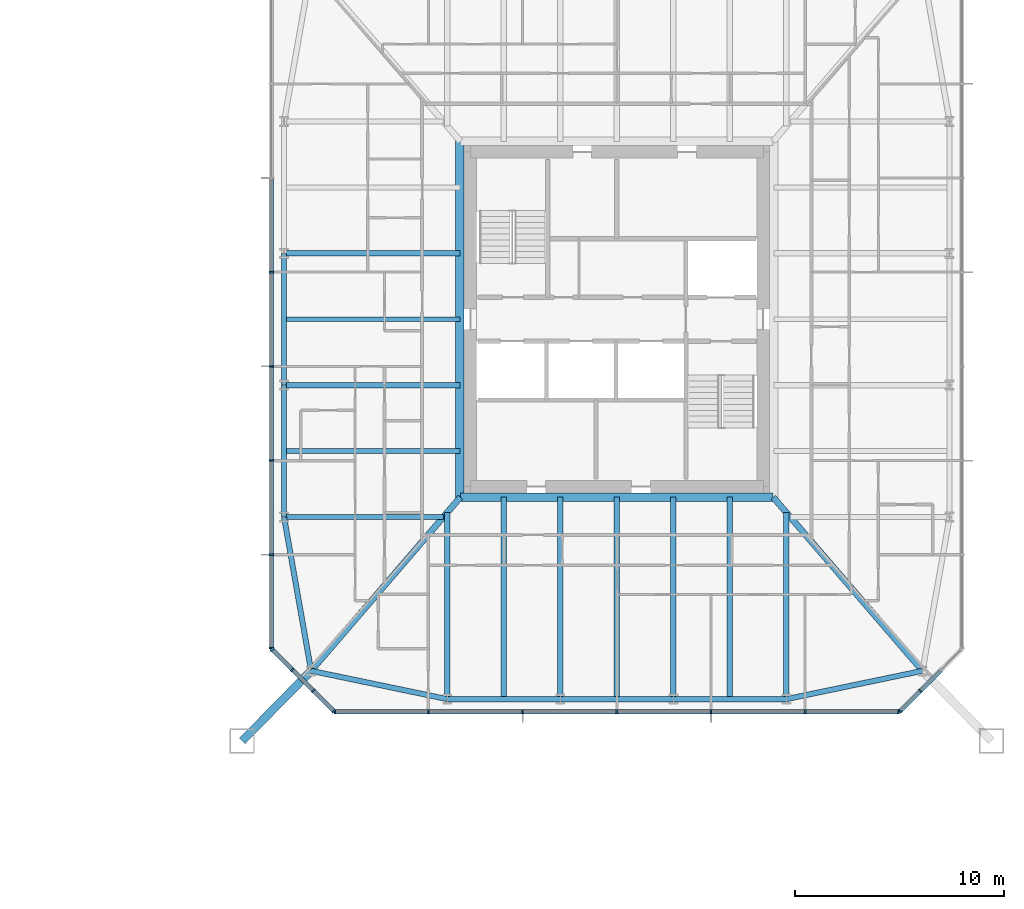
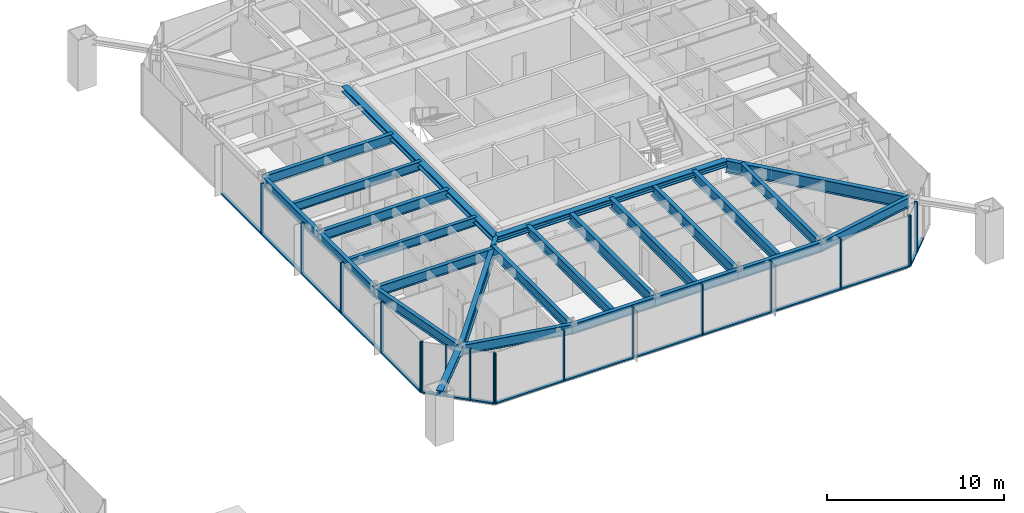
# One storey, part 8 of 26: 35 members, 24 beams, 4 elements without a shape of their own.
"""IFC4 building model written with IfcOpenShell, lengths in metres."""

from ifc_helpers import new_model, si_unit, direction, frame, origin, origin_2d, place, context, subcontext, project, spatial, rectangle, i_section, extrude, material, material_profile, profile_set, type_object, element, aggregate, save


model = new_model("IFC4")

# Units and contexts
model_context = context("Model", 3, precision=1e-05, world=origin(), true_north=direction((0.0, 1.0)))
body_context = subcontext(model_context, "Body", "Model", "MODEL_VIEW")
ifc_project = project(units=[si_unit("LENGTHUNIT", "METRE"), si_unit("AREAUNIT", "SQUARE_METRE"), si_unit("VOLUMEUNIT", "CUBIC_METRE"), si_unit("PLANEANGLEUNIT", "RADIAN"), si_unit("MASSUNIT", "GRAM", prefix="KILO")], contexts=[model_context])

# Site, building, storey
site_placement = place(None, origin())
site = spatial("IfcSite", under=ifc_project, at=site_placement, CompositionType="ELEMENT")
building_placement = place(site_placement, origin())
building = spatial("IfcBuilding", under=site, at=building_placement, Name="Iwan Alto Co-Living Towers", CompositionType="ELEMENT")
storey_placement = place(building_placement, frame((0.0, 0.0, 46.5)))
storey = spatial("IfcBuildingStorey", under=building, at=storey_placement, Name="L12", CompositionType="ELEMENT", Elevation=46.5)

# Curtain wall, members
ifc_material_1 = material(Name="Bronze aluminium unitised frame", Category="aluminium")
curtain_wall_type_1 = type_object("IfcCurtainWallType", Name="CURTAIN WALL CW-C", PredefinedType="NOTDEFINED", material=ifc_material_1)
curtain_wall_1_placement = place(storey_placement, origin())
curtain_wall_1 = element("IfcCurtainWall", 1, at=curtain_wall_1_placement, inside=storey, type_object=curtain_wall_type_1, Name="T2 curtain wall S L12", PredefinedType="NOTDEFINED")
ifc_material_2 = material(Name="Aluminium 6063-T6 bronze anodised", Category="aluminium")
ifc_material_profile_1 = material_profile(ifc_material_2, rectangle(XDim=0.199951171875, YDim=0.080078125, at=origin_2d()), Name="AL 80X200")
ifc_profile_set_1 = profile_set([ifc_material_profile_1], Name="Aluminium 6063-T6 bronze anodised")
member_type_1 = type_object("IfcMemberType", Name="CW-C MULLION 80X200", PredefinedType="MULLION", material=ifc_profile_set_1)
member_1_placement = place(storey_placement, frame((49.5400390625, -18.75, 0.0), z_axis=(0.0, 0.0, 1.0), x_axis=(0.0, 1.0, 0.0)))
member_1 = element("IfcMember", 2, at=member_1_placement, type_object=member_type_1, Name="CW-C mullion 1", PredefinedType="MULLION", context=body_context, shape_type="SweptSolid", body=[
    extrude(rectangle(XDim=0.199951171875, YDim=0.080078125, at=origin_2d()), origin(), (0.0, 0.0, 1.0), 3.5),
])
member_2_placement = place(storey_placement, frame((54.0, -18.75, 0.0), z_axis=(0.0, 0.0, 1.0), x_axis=(0.0, 1.0, 0.0)))
member_2 = element("IfcMember", 3, at=member_2_placement, type_object=member_type_1, Name="CW-C mullion 2", PredefinedType="MULLION", context=body_context, shape_type="SweptSolid", body=[
    extrude(rectangle(XDim=0.199951171875, YDim=0.080078125, at=origin_2d()), origin(), (0.0, 0.0, 1.0), 3.5),
])
member_3_placement = place(storey_placement, frame((58.5, -18.75, 0.0), z_axis=(0.0, 0.0, 1.0), x_axis=(0.0, 1.0, 0.0)))
member_3 = element("IfcMember", 4, at=member_3_placement, type_object=member_type_1, Name="CW-C mullion 3", PredefinedType="MULLION", context=body_context, shape_type="SweptSolid", body=[
    extrude(rectangle(XDim=0.199951171875, YDim=0.080078125, at=origin_2d()), origin(), (0.0, 0.0, 1.0), 3.5),
])
member_4_placement = place(storey_placement, frame((63.0, -18.75, 0.0), z_axis=(0.0, 0.0, 1.0), x_axis=(0.0, 1.0, 0.0)))
member_4 = element("IfcMember", 5, at=member_4_placement, type_object=member_type_1, Name="CW-C mullion 4", PredefinedType="MULLION", context=body_context, shape_type="SweptSolid", body=[
    extrude(rectangle(XDim=0.199951171875, YDim=0.080078125, at=origin_2d()), origin(), (0.0, 0.0, 1.0), 3.5),
])
member_5_placement = place(storey_placement, frame((67.5, -18.75, 0.0), z_axis=(0.0, 0.0, 1.0), x_axis=(0.0, 1.0, 0.0)))
member_5 = element("IfcMember", 6, at=member_5_placement, type_object=member_type_1, Name="CW-C mullion 5", PredefinedType="MULLION", context=body_context, shape_type="SweptSolid", body=[
    extrude(rectangle(XDim=0.199951171875, YDim=0.080078125, at=origin_2d()), origin(), (0.0, 0.0, 1.0), 3.5),
])
member_6_placement = place(storey_placement, frame((72.0, -18.75, 0.0), z_axis=(0.0, 0.0, 1.0), x_axis=(0.0, 1.0, 0.0)))
member_6 = element("IfcMember", 7, at=member_6_placement, type_object=member_type_1, Name="CW-C mullion 6", PredefinedType="MULLION", context=body_context, shape_type="SweptSolid", body=[
    extrude(rectangle(XDim=0.199951171875, YDim=0.080078125, at=origin_2d()), origin(), (0.0, 0.0, 1.0), 3.5),
])
member_7_placement = place(storey_placement, frame((76.4599609375, -18.75, 0.0), z_axis=(0.0, 0.0, 1.0), x_axis=(0.0, 1.0, 0.0)))
member_7 = element("IfcMember", 8, at=member_7_placement, type_object=member_type_1, Name="CW-C mullion 7", PredefinedType="MULLION", context=body_context, shape_type="SweptSolid", body=[
    extrude(rectangle(XDim=0.199951171875, YDim=0.080078125, at=origin_2d()), origin(), (0.0, 0.0, 1.0), 3.5),
])

curtain_wall_2_placement = place(storey_placement, origin())
curtain_wall_2 = element("IfcCurtainWall", 9, at=curtain_wall_2_placement, inside=storey, type_object=curtain_wall_type_1, Name="T2 curtain wall W L12", PredefinedType="NOTDEFINED")
member_8_placement = place(storey_placement, frame((46.5, 2.25, 0.0), z_axis=(0.0, 0.0, 1.0), x_axis=(1.0, 0.0, 0.0)))
member_8 = element("IfcMember", 10, at=member_8_placement, type_object=member_type_1, Name="CW-C mullion 4", PredefinedType="MULLION", context=body_context, shape_type="SweptSolid", body=[
    extrude(rectangle(XDim=0.199951171875, YDim=0.080078125, at=origin_2d()), origin(), (0.0, 0.0, 1.0), 3.5),
])
member_9_placement = place(storey_placement, frame((46.5, -2.25, 0.0), z_axis=(0.0, 0.0, 1.0), x_axis=(1.0, 0.0, 0.0)))
member_9 = element("IfcMember", 11, at=member_9_placement, type_object=member_type_1, Name="CW-C mullion 5", PredefinedType="MULLION", context=body_context, shape_type="SweptSolid", body=[
    extrude(rectangle(XDim=0.199951171875, YDim=0.080078125, at=origin_2d()), origin(), (0.0, 0.0, 1.0), 3.5),
])
member_10_placement = place(storey_placement, frame((46.5, -6.75, 0.0), z_axis=(0.0, 0.0, 1.0), x_axis=(1.0, 0.0, 0.0)))
member_10 = element("IfcMember", 12, at=member_10_placement, type_object=member_type_1, Name="CW-C mullion 6", PredefinedType="MULLION", context=body_context, shape_type="SweptSolid", body=[
    extrude(rectangle(XDim=0.199951171875, YDim=0.080078125, at=origin_2d()), origin(), (0.0, 0.0, 1.0), 3.5),
])
member_11_placement = place(storey_placement, frame((46.5, -11.25, 0.0), z_axis=(0.0, 0.0, 1.0), x_axis=(1.0, 0.0, 0.0)))
member_11 = element("IfcMember", 13, at=member_11_placement, type_object=member_type_1, Name="CW-C mullion 7", PredefinedType="MULLION", context=body_context, shape_type="SweptSolid", body=[
    extrude(rectangle(XDim=0.199951171875, YDim=0.080078125, at=origin_2d()), origin(), (0.0, 0.0, 1.0), 3.5),
])
member_12_placement = place(storey_placement, frame((46.5, -15.7099609375, 0.0), z_axis=(0.0, 0.0, 1.0), x_axis=(1.0, 0.0, 0.0)))
member_12 = element("IfcMember", 14, at=member_12_placement, type_object=member_type_1, Name="CW-C mullion 8", PredefinedType="MULLION", context=body_context, shape_type="SweptSolid", body=[
    extrude(rectangle(XDim=0.199951171875, YDim=0.080078125, at=origin_2d()), origin(), (0.0, 0.0, 1.0), 3.5),
])

# Member
ifc_material_3 = material(Name="Aluminium 6063-T6 bronze anodised", Category="aluminium")
ifc_material_profile_2 = material_profile(ifc_material_3, rectangle(XDim=0.199951171875, YDim=0.10009765625, at=origin_2d()), Name="AL 200X100")
ifc_profile_set_2 = profile_set([ifc_material_profile_2], Name="Aluminium 6063-T6 bronze anodised")
member_type_2 = type_object("IfcMemberType", Name="CW-C TRANSOM 200X100", PredefinedType="USERDEFINED", material=ifc_profile_set_2)
member_13_placement = place(storey_placement, frame((49.580078125, -18.75, 0.050048828125), z_axis=(1.0, 0.0, 0.0), x_axis=(0.0, 1.0, 0.0)))
member_13 = element("IfcMember", 15, at=member_13_placement, type_object=member_type_2, Name="CW-C transom 1.1", ObjectType="TRANSOM", PredefinedType="USERDEFINED", context=body_context, shape_type="SweptSolid", body=[
    extrude(rectangle(XDim=0.199951171875, YDim=0.10009765625, at=origin_2d()), origin(), (0.0, 0.0, 1.0), 4.3798828125),
])

member_14_placement = place(storey_placement, frame((54.0400390625, -18.75, 0.050048828125), z_axis=(1.0, 0.0, 0.0), x_axis=(0.0, 1.0, 0.0)))
member_14 = element("IfcMember", 16, at=member_14_placement, type_object=member_type_2, Name="CW-C transom 2.1", ObjectType="TRANSOM", PredefinedType="USERDEFINED", context=body_context, shape_type="SweptSolid", body=[
    extrude(rectangle(XDim=0.199951171875, YDim=0.10009765625, at=origin_2d()), origin(), (0.0, 0.0, 1.0), 4.419921875),
])

member_15_placement = place(storey_placement, frame((58.5400390625, -18.75, 0.050048828125), z_axis=(1.0, 0.0, 0.0), x_axis=(0.0, 1.0, 0.0)))
member_15 = element("IfcMember", 17, at=member_15_placement, type_object=member_type_2, Name="CW-C transom 3.1", ObjectType="TRANSOM", PredefinedType="USERDEFINED", context=body_context, shape_type="SweptSolid", body=[
    extrude(rectangle(XDim=0.199951171875, YDim=0.10009765625, at=origin_2d()), origin(), (0.0, 0.0, 1.0), 4.419921875),
])

member_16_placement = place(storey_placement, frame((63.0400390625, -18.75, 0.050048828125), z_axis=(1.0, 0.0, 0.0), x_axis=(0.0, 1.0, 0.0)))
member_16 = element("IfcMember", 18, at=member_16_placement, type_object=member_type_2, Name="CW-C transom 4.1", ObjectType="TRANSOM", PredefinedType="USERDEFINED", context=body_context, shape_type="SweptSolid", body=[
    extrude(rectangle(XDim=0.199951171875, YDim=0.10009765625, at=origin_2d()), origin(), (0.0, 0.0, 1.0), 4.419921875),
])

member_17_placement = place(storey_placement, frame((67.5400390625, -18.75, 0.050048828125), z_axis=(1.0, 0.0, 0.0), x_axis=(0.0, 1.0, 0.0)))
member_17 = element("IfcMember", 19, at=member_17_placement, type_object=member_type_2, Name="CW-C transom 5.1", ObjectType="TRANSOM", PredefinedType="USERDEFINED", context=body_context, shape_type="SweptSolid", body=[
    extrude(rectangle(XDim=0.199951171875, YDim=0.10009765625, at=origin_2d()), origin(), (0.0, 0.0, 1.0), 4.419921875),
])

member_18_placement = place(storey_placement, frame((72.0400390625, -18.75, 0.050048828125), z_axis=(1.0, 0.0, 0.0), x_axis=(0.0, 1.0, 0.0)))
member_18 = element("IfcMember", 20, at=member_18_placement, type_object=member_type_2, Name="CW-C transom 6.1", ObjectType="TRANSOM", PredefinedType="USERDEFINED", context=body_context, shape_type="SweptSolid", body=[
    extrude(rectangle(XDim=0.199951171875, YDim=0.10009765625, at=origin_2d()), origin(), (0.0, 0.0, 1.0), 4.3798828125),
])

aggregate(curtain_wall_1, [member_1, member_2, member_3, member_4, member_5, member_6, member_7, member_13, member_14, member_15, member_16, member_17, member_18])

member_19_placement = place(storey_placement, frame((46.5, 6.7099609375, 0.050048828125), z_axis=(0.0, -1.0, 0.0), x_axis=(1.0, 0.0, 0.0)))
member_19 = element("IfcMember", 21, at=member_19_placement, type_object=member_type_2, Name="CW-C transom 3.1", ObjectType="TRANSOM", PredefinedType="USERDEFINED", context=body_context, shape_type="SweptSolid", body=[
    extrude(rectangle(XDim=0.199951171875, YDim=0.10009765625, at=origin_2d()), origin(), (0.0, 0.0, 1.0), 4.419921875),
])

member_20_placement = place(storey_placement, frame((46.5, 2.2099609375, 0.050048828125), z_axis=(0.0, -1.0, 0.0), x_axis=(1.0, 0.0, 0.0)))
member_20 = element("IfcMember", 22, at=member_20_placement, type_object=member_type_2, Name="CW-C transom 4.1", ObjectType="TRANSOM", PredefinedType="USERDEFINED", context=body_context, shape_type="SweptSolid", body=[
    extrude(rectangle(XDim=0.199951171875, YDim=0.10009765625, at=origin_2d()), origin(), (0.0, 0.0, 1.0), 4.419921875),
])

member_21_placement = place(storey_placement, frame((46.5, -2.2900390625, 0.050048828125), z_axis=(0.0, -1.0, 0.0), x_axis=(1.0, 0.0, 0.0)))
member_21 = element("IfcMember", 23, at=member_21_placement, type_object=member_type_2, Name="CW-C transom 5.1", ObjectType="TRANSOM", PredefinedType="USERDEFINED", context=body_context, shape_type="SweptSolid", body=[
    extrude(rectangle(XDim=0.199951171875, YDim=0.10009765625, at=origin_2d()), origin(), (0.0, 0.0, 1.0), 4.419921875),
])

member_22_placement = place(storey_placement, frame((46.5, -6.7900390625, 0.050048828125), z_axis=(0.0, -1.0, 0.0), x_axis=(1.0, 0.0, 0.0)))
member_22 = element("IfcMember", 24, at=member_22_placement, type_object=member_type_2, Name="CW-C transom 6.1", ObjectType="TRANSOM", PredefinedType="USERDEFINED", context=body_context, shape_type="SweptSolid", body=[
    extrude(rectangle(XDim=0.199951171875, YDim=0.10009765625, at=origin_2d()), origin(), (0.0, 0.0, 1.0), 4.419921875),
])

member_23_placement = place(storey_placement, frame((46.5, -11.2900390625, 0.050048828125), z_axis=(0.0, -1.0, 0.0), x_axis=(1.0, 0.0, 0.0)))
member_23 = element("IfcMember", 25, at=member_23_placement, type_object=member_type_2, Name="CW-C transom 7.1", ObjectType="TRANSOM", PredefinedType="USERDEFINED", context=body_context, shape_type="SweptSolid", body=[
    extrude(rectangle(XDim=0.199951171875, YDim=0.10009765625, at=origin_2d()), origin(), (0.0, 0.0, 1.0), 4.3798828125),
])

aggregate(curtain_wall_2, [member_8, member_9, member_10, member_11, member_12, member_19, member_20, member_21, member_22, member_23])

# Curtain wall, members
ifc_material_4 = material(Name="Bronze aluminium unitised frame", Category="aluminium")
curtain_wall_type_2 = type_object("IfcCurtainWallType", Name="CURTAIN WALL CW-D", PredefinedType="NOTDEFINED", material=ifc_material_4)
curtain_wall_3_placement = place(storey_placement, origin())
curtain_wall_3 = element("IfcCurtainWall", 26, at=curtain_wall_3_placement, inside=storey, type_object=curtain_wall_type_2, Name="T2 chamfer curtain wall SE L12", PredefinedType="NOTDEFINED")
ifc_material_5 = material(Name="Aluminium 6063-T6 bronze anodised", Category="aluminium")
ifc_material_profile_3 = material_profile(ifc_material_5, rectangle(XDim=0.199951171875, YDim=0.080078125, at=origin_2d()), Name="AL 80X200")
ifc_profile_set_3 = profile_set([ifc_material_profile_3], Name="Aluminium 6063-T6 bronze anodised")
member_type_3 = type_object("IfcMemberType", Name="CW-D MULLION 80X200", PredefinedType="MULLION", material=ifc_profile_set_3)
member_24_placement = place(storey_placement, frame((76.5283203125, -18.7216796875, 0.0), z_axis=(0.0, 0.0, 1.0), x_axis=(-0.707106781187, 0.707106781187, 0.0)))
member_24 = element("IfcMember", 27, at=member_24_placement, type_object=member_type_3, Name="CW-D mullion 1", PredefinedType="MULLION", context=body_context, shape_type="SweptSolid", body=[
    extrude(rectangle(XDim=0.199951171875, YDim=0.080078125, at=origin_2d()), origin(), (0.0, 0.0, 1.0), 3.5),
])
member_25_placement = place(storey_placement, frame((77.5, -17.75, 0.0), z_axis=(0.0, 0.0, 1.0), x_axis=(-0.707106781187, 0.707106781187, 0.0)))
member_25 = element("IfcMember", 28, at=member_25_placement, type_object=member_type_3, Name="CW-D mullion 2", PredefinedType="MULLION", context=body_context, shape_type="SweptSolid", body=[
    extrude(rectangle(XDim=0.199951171875, YDim=0.080078125, at=origin_2d()), origin(), (0.0, 0.0, 1.0), 3.5),
])

curtain_wall_4_placement = place(storey_placement, origin())
curtain_wall_4 = element("IfcCurtainWall", 29, at=curtain_wall_4_placement, inside=storey, type_object=curtain_wall_type_2, Name="T2 chamfer curtain wall SW L12", PredefinedType="NOTDEFINED")
member_26_placement = place(storey_placement, frame((46.5283203125, -15.7783203125, 0.0), z_axis=(0.0, 0.0, 1.0), x_axis=(0.707106781187, 0.707106781187, 0.0)))
member_26 = element("IfcMember", 30, at=member_26_placement, type_object=member_type_3, Name="CW-D mullion 1", PredefinedType="MULLION", context=body_context, shape_type="SweptSolid", body=[
    extrude(rectangle(XDim=0.199951171875, YDim=0.080078125, at=origin_2d()), origin(), (0.0, 0.0, 1.0), 3.5),
])
member_27_placement = place(storey_placement, frame((47.5, -16.75, 0.0), z_axis=(0.0, 0.0, 1.0), x_axis=(0.707106781187, 0.707106781187, 0.0)))
member_27 = element("IfcMember", 31, at=member_27_placement, type_object=member_type_3, Name="CW-D mullion 2", PredefinedType="MULLION", context=body_context, shape_type="SweptSolid", body=[
    extrude(rectangle(XDim=0.199951171875, YDim=0.080078125, at=origin_2d()), origin(), (0.0, 0.0, 1.0), 3.5),
])
member_28_placement = place(storey_placement, frame((48.5, -17.75, 0.0), z_axis=(0.0, 0.0, 1.0), x_axis=(0.707106781187, 0.707106781187, 0.0)))
member_28 = element("IfcMember", 32, at=member_28_placement, type_object=member_type_3, Name="CW-D mullion 3", PredefinedType="MULLION", context=body_context, shape_type="SweptSolid", body=[
    extrude(rectangle(XDim=0.199951171875, YDim=0.080078125, at=origin_2d()), origin(), (0.0, 0.0, 1.0), 3.5),
])
member_29_placement = place(storey_placement, frame((49.4716796875, -18.7216796875, 0.0), z_axis=(0.0, 0.0, 1.0), x_axis=(0.707106781187, 0.707106781187, 0.0)))
member_29 = element("IfcMember", 33, at=member_29_placement, type_object=member_type_3, Name="CW-D mullion 4", PredefinedType="MULLION", context=body_context, shape_type="SweptSolid", body=[
    extrude(rectangle(XDim=0.199951171875, YDim=0.080078125, at=origin_2d()), origin(), (0.0, 0.0, 1.0), 3.5),
])

# Member
ifc_material_6 = material(Name="Aluminium 6063-T6 bronze anodised", Category="aluminium")
ifc_material_profile_4 = material_profile(ifc_material_6, rectangle(XDim=0.199951171875, YDim=0.10009765625, at=origin_2d()), Name="AL 200X100")
ifc_profile_set_4 = profile_set([ifc_material_profile_4], Name="Aluminium 6063-T6 bronze anodised")
member_type_4 = type_object("IfcMemberType", Name="CW-D TRANSOM 200X100", PredefinedType="USERDEFINED", material=ifc_profile_set_4)
member_30_placement = place(storey_placement, frame((76.556640625, -18.693359375, 0.050048828125), z_axis=(0.707106781187, 0.707106781187, 0.0), x_axis=(-0.707106781187, 0.707106781187, 0.0)))
member_30 = element("IfcMember", 34, at=member_30_placement, type_object=member_type_4, Name="CW-D transom 1.1", ObjectType="TRANSOM", PredefinedType="USERDEFINED", context=body_context, shape_type="SweptSolid", body=[
    extrude(rectangle(XDim=0.199951171875, YDim=0.10009765625, at=origin_2d()), origin(), (0.0, 0.0, 1.0), 1.2939453125),
])

member_31_placement = place(storey_placement, frame((77.5283203125, -17.7216796875, 0.050048828125), z_axis=(0.707106781187, 0.707106781187, 0.0), x_axis=(-0.707106781187, 0.707106781187, 0.0)))
member_31 = element("IfcMember", 35, at=member_31_placement, type_object=member_type_4, Name="CW-D transom 2.1", ObjectType="TRANSOM", PredefinedType="USERDEFINED", context=body_context, shape_type="SweptSolid", body=[
    extrude(rectangle(XDim=0.199951171875, YDim=0.10009765625, at=origin_2d()), origin(), (0.0, 0.0, 1.0), 1.334228515625),
])

aggregate(curtain_wall_3, [member_24, member_25, member_30, member_31])

member_32_placement = place(storey_placement, frame((46.556640625, -15.806640625, 0.050048828125), z_axis=(0.707106781187, -0.707106781187, 0.0), x_axis=(0.707106781187, 0.707106781187, 0.0)))
member_32 = element("IfcMember", 36, at=member_32_placement, type_object=member_type_4, Name="CW-D transom 1.1", ObjectType="TRANSOM", PredefinedType="USERDEFINED", context=body_context, shape_type="SweptSolid", body=[
    extrude(rectangle(XDim=0.199951171875, YDim=0.10009765625, at=origin_2d()), origin(), (0.0, 0.0, 1.0), 1.2939453125),
])

member_33_placement = place(storey_placement, frame((47.5283203125, -16.7783203125, 0.050048828125), z_axis=(0.707106781187, -0.707106781187, 0.0), x_axis=(0.707106781187, 0.707106781187, 0.0)))
member_33 = element("IfcMember", 37, at=member_33_placement, type_object=member_type_4, Name="CW-D transom 2.1", ObjectType="TRANSOM", PredefinedType="USERDEFINED", context=body_context, shape_type="SweptSolid", body=[
    extrude(rectangle(XDim=0.199951171875, YDim=0.10009765625, at=origin_2d()), origin(), (0.0, 0.0, 1.0), 1.334228515625),
])

member_34_placement = place(storey_placement, frame((48.5283203125, -17.7783203125, 0.050048828125), z_axis=(0.707106781187, -0.707106781187, 0.0), x_axis=(0.707106781187, 0.707106781187, 0.0)))
member_34 = element("IfcMember", 38, at=member_34_placement, type_object=member_type_4, Name="CW-D transom 3.1", ObjectType="TRANSOM", PredefinedType="USERDEFINED", context=body_context, shape_type="SweptSolid", body=[
    extrude(rectangle(XDim=0.199951171875, YDim=0.10009765625, at=origin_2d()), origin(), (0.0, 0.0, 1.0), 1.2939453125),
])

aggregate(curtain_wall_4, [member_26, member_27, member_28, member_29, member_32, member_33, member_34])

# Beams
ifc_material_7 = material(Name="Steel ASTM A992 Gr 50", Category="steel")
ifc_material_profile_5 = material_profile(ifc_material_7, i_section(OverallWidth=0.40380859375, OverallDepth=0.406494140625, WebThickness=0.027099609375, FlangeThickness=0.043701171875, at=origin_2d()), Name="W14X233")
ifc_profile_set_5 = profile_set([ifc_material_profile_5], Name="Steel ASTM A992 Gr 50")
beam_type_1 = type_object("IfcBeamType", Name="T2 CORE LEDGER BEAM W14X233", PredefinedType="BEAM", material=ifc_profile_set_5)
beam_1_placement = place(storey_placement, frame((55.5263671875, -8.501953125, 3.06689453125), z_axis=(1.0, 0.0, 0.0), x_axis=(0.0, 1.0, 0.0)))
element("IfcBeam", 39, at=beam_1_placement, inside=storey, type_object=beam_type_1, Name="T2 core ledger beam S L13", PredefinedType="BEAM", context=body_context, shape_type="SweptSolid", body=[
    extrude(i_section(OverallWidth=0.40380859375, OverallDepth=0.406494140625, WebThickness=0.027099609375, FlangeThickness=0.043701171875, at=origin_2d()), origin(), (0.0, 0.0, 1.0), 14.947265625),
])
beam_2_placement = place(storey_placement, frame((55.498046875, 8.534912109375, 3.06689453125), z_axis=(0.0, -1.0, 0.0), x_axis=(1.0, 0.0, 0.0)))
element("IfcBeam", 40, at=beam_2_placement, inside=storey, type_object=beam_type_1, Name="T2 core ledger beam W L13", PredefinedType="BEAM", context=body_context, shape_type="SweptSolid", body=[
    extrude(i_section(OverallWidth=0.40380859375, OverallDepth=0.406494140625, WebThickness=0.027099609375, FlangeThickness=0.043701171875, at=origin_2d()), origin(), (0.0, 0.0, 1.0), 17.06982421875),
])
ifc_material_8 = material(Name="Steel ASTM A992 Gr 50", Category="steel")
ifc_material_profile_6 = material_profile(ifc_material_8, i_section(OverallWidth=0.2919921875, OverallDepth=0.8408203125, WebThickness=0.0146484375, FlangeThickness=0.021728515625, at=origin_2d()), Name="W33X130")
ifc_profile_set_6 = profile_set([ifc_material_profile_6], Name="Steel ASTM A992 Gr 50")
beam_type_2 = type_object("IfcBeamType", Name="T2 CORNER GIRDER W33X130", PredefinedType="BEAM", material=ifc_profile_set_6)
for number, where, z_axis, x_axis, name in (
    (41, (48.393798828125, -16.797119140625, 2.849609375), (0.651972301827, 0.758242782788, 0.0), (-0.758242782788, 0.651972301827, 0.0), "T2 corner girder CSW L13"),
    (42, (77.606201171875, -16.797119140625, 2.849609375), (-0.651972301827, 0.758242782788, 0.0), (-0.758242782788, -0.651972301827, 0.0), "T2 corner girder CSE L13"),
):
    element("IfcBeam", number, at=place(storey_placement, frame(where, z_axis=z_axis, x_axis=x_axis)), inside=storey, type_object=beam_type_2, Name=name, PredefinedType="BEAM", context=body_context, shape_type="SweptSolid", body=[
        extrude(i_section(OverallWidth=0.2919921875, OverallDepth=0.8408203125, WebThickness=0.0146484375, FlangeThickness=0.021728515625, at=origin_2d()), origin(), (0.0, 0.0, 1.0), 10.93994140625),
    ])
ifc_material_9 = material(Name="Steel ASTM A992 Gr 50", Category="steel")
ifc_material_profile_7 = material_profile(ifc_material_9, i_section(OverallWidth=0.25390625, OverallDepth=0.683349609375, WebThickness=0.012451171875, FlangeThickness=0.018798828125, at=origin_2d()), Name="W27X94")
ifc_profile_set_7 = profile_set([ifc_material_profile_7], Name="Steel ASTM A992 Gr 50")
beam_type_3 = type_object("IfcBeamType", Name="T2 EDGE BEAM W27X94", PredefinedType="BEAM", material=ifc_profile_set_7)
beam_3_placement = place(storey_placement, frame((48.393798828125, -16.797119140625, 2.928466796875), z_axis=(0.979060119423, -0.203571320564, 0.0), x_axis=(0.203571320564, 0.979060119423, 0.0)))
element("IfcBeam", 43, at=beam_3_placement, inside=storey, type_object=beam_type_3, Name="T2 edge beam CSW L13", PredefinedType="BEAM", context=body_context, shape_type="SweptSolid", body=[
    extrude(i_section(OverallWidth=0.25390625, OverallDepth=0.683349609375, WebThickness=0.012451171875, FlangeThickness=0.018798828125, at=origin_2d()), origin(), (0.0, 0.0, 1.0), 6.645263671875),
])
beam_4_placement = place(storey_placement, frame((54.89990234375, -18.14990234375, 2.928466796875), z_axis=(1.0, 0.0, 0.0), x_axis=(0.0, 1.0, 0.0)))
element("IfcBeam", 44, at=beam_4_placement, inside=storey, type_object=beam_type_3, Name="T2 edge beam S1 L13", PredefinedType="BEAM", context=body_context, shape_type="SweptSolid", body=[
    extrude(i_section(OverallWidth=0.25390625, OverallDepth=0.683349609375, WebThickness=0.012451171875, FlangeThickness=0.018798828125, at=origin_2d()), origin(), (0.0, 0.0, 1.0), 5.400146484375),
])
beam_5_placement = place(storey_placement, frame((60.300048828125, -18.14990234375, 2.928466796875), z_axis=(1.0, 0.0, 0.0), x_axis=(0.0, 1.0, 0.0)))
element("IfcBeam", 45, at=beam_5_placement, inside=storey, type_object=beam_type_3, Name="T2 edge beam S2 L13", PredefinedType="BEAM", context=body_context, shape_type="SweptSolid", body=[
    extrude(i_section(OverallWidth=0.25390625, OverallDepth=0.683349609375, WebThickness=0.012451171875, FlangeThickness=0.018798828125, at=origin_2d()), origin(), (0.0, 0.0, 1.0), 5.39990234375),
])
beam_6_placement = place(storey_placement, frame((65.699951171875, -18.14990234375, 2.928466796875), z_axis=(1.0, 0.0, 0.0), x_axis=(0.0, 1.0, 0.0)))
element("IfcBeam", 46, at=beam_6_placement, inside=storey, type_object=beam_type_3, Name="T2 edge beam S3 L13", PredefinedType="BEAM", context=body_context, shape_type="SweptSolid", body=[
    extrude(i_section(OverallWidth=0.25390625, OverallDepth=0.683349609375, WebThickness=0.012451171875, FlangeThickness=0.018798828125, at=origin_2d()), origin(), (0.0, 0.0, 1.0), 5.400146484375),
])
beam_7_placement = place(storey_placement, frame((71.10009765625, -18.14990234375, 2.928466796875), z_axis=(0.979060119423, 0.203571320564, 0.0), x_axis=(-0.203571320564, 0.979060119423, 0.0)))
element("IfcBeam", 47, at=beam_7_placement, inside=storey, type_object=beam_type_3, Name="T2 edge beam S4 L13", PredefinedType="BEAM", context=body_context, shape_type="SweptSolid", body=[
    extrude(i_section(OverallWidth=0.25390625, OverallDepth=0.683349609375, WebThickness=0.012451171875, FlangeThickness=0.018798828125, at=origin_2d()), origin(), (0.0, 0.0, 1.0), 6.645263671875),
])
beam_8_placement = place(storey_placement, frame((47.10009765625, 3.14990234375, 2.928466796875), z_axis=(0.0, -1.0, 0.0), x_axis=(1.0, 0.0, 0.0)))
element("IfcBeam", 48, at=beam_8_placement, inside=storey, type_object=beam_type_3, Name="T2 edge beam W2 L13", PredefinedType="BEAM", context=body_context, shape_type="SweptSolid", body=[
    extrude(i_section(OverallWidth=0.25390625, OverallDepth=0.683349609375, WebThickness=0.012451171875, FlangeThickness=0.018798828125, at=origin_2d()), origin(), (0.0, 0.0, 1.0), 6.2998046875),
])
beam_9_placement = place(storey_placement, frame((47.10009765625, -3.14990234375, 2.928466796875), z_axis=(0.0, -1.0, 0.0), x_axis=(1.0, 0.0, 0.0)))
element("IfcBeam", 49, at=beam_9_placement, inside=storey, type_object=beam_type_3, Name="T2 edge beam W3 L13", PredefinedType="BEAM", context=body_context, shape_type="SweptSolid", body=[
    extrude(i_section(OverallWidth=0.25390625, OverallDepth=0.683349609375, WebThickness=0.012451171875, FlangeThickness=0.018798828125, at=origin_2d()), origin(), (0.0, 0.0, 1.0), 6.300048828125),
])
beam_10_placement = place(storey_placement, frame((47.10009765625, -9.449951171875, 2.928466796875), z_axis=(0.173413807283, -0.98484905008, 0.0), x_axis=(0.98484905008, 0.173413807283, 0.0)))
element("IfcBeam", 50, at=beam_10_placement, inside=storey, type_object=beam_type_3, Name="T2 edge beam W4 L13", PredefinedType="BEAM", context=body_context, shape_type="SweptSolid", body=[
    extrude(i_section(OverallWidth=0.25390625, OverallDepth=0.683349609375, WebThickness=0.012451171875, FlangeThickness=0.018798828125, at=origin_2d()), origin(), (0.0, 0.0, 1.0), 7.460205078125),
])

# Member
ifc_material_10 = material(Name="Steel ASTM A992 Gr 50", Category="steel")
ifc_material_profile_8 = material_profile(ifc_material_10, i_section(OverallWidth=0.393798828125, OverallDepth=0.3759765625, WebThickness=0.017333984375, FlangeThickness=0.027587890625, at=origin_2d()), Name="W14X145")
ifc_profile_set_8 = profile_set([ifc_material_profile_8], Name="Steel ASTM A992 Gr 50")
member_type_5 = type_object("IfcMemberType", Name="T2 MEGA COLUMN FLOOR TIE W14X145", PredefinedType="STRUT", material=ifc_profile_set_8)
member_35_placement = place(storey_placement, frame((45.10009765625, -20.14990234375, 3.08203125), z_axis=(0.700793469544, 0.71336422187, 0.0), x_axis=(-0.71336422187, 0.700793469544, 0.0)))
element("IfcMember", 51, at=member_35_placement, inside=storey, type_object=member_type_5, Name="T2 mega column floor tie SW L13", PredefinedType="STRUT", context=body_context, shape_type="SweptSolid", body=[
    extrude(i_section(OverallWidth=0.393798828125, OverallDepth=0.3759765625, WebThickness=0.017333984375, FlangeThickness=0.027587890625, at=origin_2d()), origin(), (0.0, 0.0, 1.0), 4.699951171875),
])

# Beams
ifc_material_11 = material(Name="Steel ASTM A992 Gr 50", Category="steel")
ifc_material_profile_9 = material_profile(ifc_material_11, i_section(OverallWidth=0.25390625, OverallDepth=0.683349609375, WebThickness=0.012451171875, FlangeThickness=0.018798828125, at=origin_2d()), Name="W27X94")
ifc_profile_set_9 = profile_set([ifc_material_profile_9], Name="Steel ASTM A992 Gr 50")
beam_type_4 = type_object("IfcBeamType", Name="T2 RADIAL BEAM W27X94", PredefinedType="BEAM", material=ifc_profile_set_9)
for number, where, z_axis, x_axis, name in (
    (52, (54.89990234375, -18.14990234375, 2.928466796875), (0.0, 1.0, 0.0), (-1.0, 0.0, 0.0), "T2 radial beam S1 L13"),
    (53, (71.10009765625, -18.14990234375, 2.928466796875), (0.0, 1.0, 0.0), (-1.0, 0.0, 0.0), "T2 radial beam S4 L13"),
):
    element("IfcBeam", number, at=place(storey_placement, frame(where, z_axis=z_axis, x_axis=x_axis)), inside=storey, type_object=beam_type_4, Name=name, PredefinedType="BEAM", context=body_context, shape_type="SweptSolid", body=[
        extrude(i_section(OverallWidth=0.25390625, OverallDepth=0.683349609375, WebThickness=0.012451171875, FlangeThickness=0.018798828125, at=origin_2d()), origin(), (0.0, 0.0, 1.0), 8.91943359375),
    ])
for number, where, z_axis, x_axis, name in (
    (54, (47.10009765625, 3.14990234375, 2.928466796875), (1.0, 0.0, 0.0), (0.0, 1.0, 0.0), "T2 radial beam W2 L13"),
    (55, (47.10009765625, -3.14990234375, 2.928466796875), (1.0, 0.0, 0.0), (0.0, 1.0, 0.0), "T2 radial beam W3 L13"),
):
    element("IfcBeam", number, at=place(storey_placement, frame(where, z_axis=z_axis, x_axis=x_axis)), inside=storey, type_object=beam_type_4, Name=name, PredefinedType="BEAM", context=body_context, shape_type="SweptSolid", body=[
        extrude(i_section(OverallWidth=0.25390625, OverallDepth=0.683349609375, WebThickness=0.012451171875, FlangeThickness=0.018798828125, at=origin_2d()), origin(), (0.0, 0.0, 1.0), 8.39794921875),
    ])
beam_11_placement = place(storey_placement, frame((47.10009765625, -9.449951171875, 2.928466796875), z_axis=(1.0, 0.0, 0.0), x_axis=(0.0, 1.0, 0.0)))
element("IfcBeam", 56, at=beam_11_placement, inside=storey, type_object=beam_type_4, Name="T2 radial beam W4 L13", PredefinedType="BEAM", context=body_context, shape_type="SweptSolid", body=[
    extrude(i_section(OverallWidth=0.25390625, OverallDepth=0.683349609375, WebThickness=0.012451171875, FlangeThickness=0.018798828125, at=origin_2d()), origin(), (0.0, 0.0, 1.0), 7.611083984375),
])
ifc_material_12 = material(Name="Steel ASTM A992 Gr 50", Category="steel")
ifc_material_profile_10 = material_profile(ifc_material_12, i_section(OverallWidth=0.2666015625, OverallDepth=0.761962890625, WebThickness=0.014404296875, FlangeThickness=0.021484375, at=origin_2d()), Name="W30X116")
ifc_profile_set_10 = profile_set([ifc_material_profile_10], Name="Steel ASTM A992 Gr 50")
beam_type_5 = type_object("IfcBeamType", Name="T2 RADIAL BEAM W30X116", PredefinedType="BEAM", material=ifc_profile_set_10)
for number, where, z_axis, x_axis, name in (
    (57, (60.300048828125, -18.14990234375, 2.888916015625), (0.0, 1.0, 0.0), (-1.0, 0.0, 0.0), "T2 radial beam S2 L13"),
    (58, (65.699951171875, -18.14990234375, 2.888916015625), (0.0, 1.0, 0.0), (-1.0, 0.0, 0.0), "T2 radial beam S3 L13"),
):
    element("IfcBeam", number, at=place(storey_placement, frame(where, z_axis=z_axis, x_axis=x_axis)), inside=storey, type_object=beam_type_5, Name=name, PredefinedType="BEAM", context=body_context, shape_type="SweptSolid", body=[
        extrude(i_section(OverallWidth=0.2666015625, OverallDepth=0.761962890625, WebThickness=0.014404296875, FlangeThickness=0.021484375, at=origin_2d()), origin(), (0.0, 0.0, 1.0), 9.64794921875),
    ])
ifc_material_13 = material(Name="Steel ASTM A992 Gr 50", Category="steel")
ifc_material_profile_11 = material_profile(ifc_material_13, i_section(OverallWidth=0.228271484375, OverallDepth=0.607177734375, WebThickness=0.01123046875, FlangeThickness=0.017333984375, at=origin_2d()), Name="W24X76")
ifc_profile_set_11 = profile_set([ifc_material_profile_11], Name="Steel ASTM A992 Gr 50")
beam_type_6 = type_object("IfcBeamType", Name="T2 SECONDARY BEAM W24X76", PredefinedType="JOIST", material=ifc_profile_set_11)
for number, where, z_axis, x_axis, name in (
    (59, (47.10009765625, 0.0, 2.966552734375), (1.0, 0.0, 0.0), (0.0, 1.0, 0.0), "T2 secondary beam W2 L13"),
    (60, (47.10009765625, -6.300048828125, 2.966552734375), (1.0, 0.0, 0.0), (0.0, 1.0, 0.0), "T2 secondary beam W3 L13"),
):
    element("IfcBeam", number, at=place(storey_placement, frame(where, z_axis=z_axis, x_axis=x_axis)), inside=storey, type_object=beam_type_6, Name=name, PredefinedType="JOIST", context=body_context, shape_type="SweptSolid", body=[
        extrude(i_section(OverallWidth=0.228271484375, OverallDepth=0.607177734375, WebThickness=0.01123046875, FlangeThickness=0.017333984375, at=origin_2d()), origin(), (0.0, 0.0, 1.0), 8.39794921875),
    ])
ifc_material_14 = material(Name="Steel ASTM A992 Gr 50", Category="steel")
ifc_material_profile_12 = material_profile(ifc_material_14, i_section(OverallWidth=0.25390625, OverallDepth=0.683349609375, WebThickness=0.012451171875, FlangeThickness=0.018798828125, at=origin_2d()), Name="W27X94")
ifc_profile_set_12 = profile_set([ifc_material_profile_12], Name="Steel ASTM A992 Gr 50")
beam_type_7 = type_object("IfcBeamType", Name="T2 SECONDARY BEAM W27X94", PredefinedType="JOIST", material=ifc_profile_set_12)
for number, where, z_axis, x_axis, name in (
    (61, (57.60009765625, -18.14990234375, 2.928466796875), (0.0, 1.0, 0.0), (-1.0, 0.0, 0.0), "T2 secondary beam S1 L13"),
    (62, (63.0, -18.14990234375, 2.928466796875), (0.0, 1.0, 0.0), (-1.0, 0.0, 0.0), "T2 secondary beam S2 L13"),
    (63, (68.39990234375, -18.14990234375, 2.928466796875), (0.0, 1.0, 0.0), (-1.0, 0.0, 0.0), "T2 secondary beam S3 L13"),
):
    element("IfcBeam", number, at=place(storey_placement, frame(where, z_axis=z_axis, x_axis=x_axis)), inside=storey, type_object=beam_type_7, Name=name, PredefinedType="JOIST", context=body_context, shape_type="SweptSolid", body=[
        extrude(i_section(OverallWidth=0.25390625, OverallDepth=0.683349609375, WebThickness=0.012451171875, FlangeThickness=0.018798828125, at=origin_2d()), origin(), (0.0, 0.0, 1.0), 9.64794921875),
    ])

save(model, "model.ifc")
